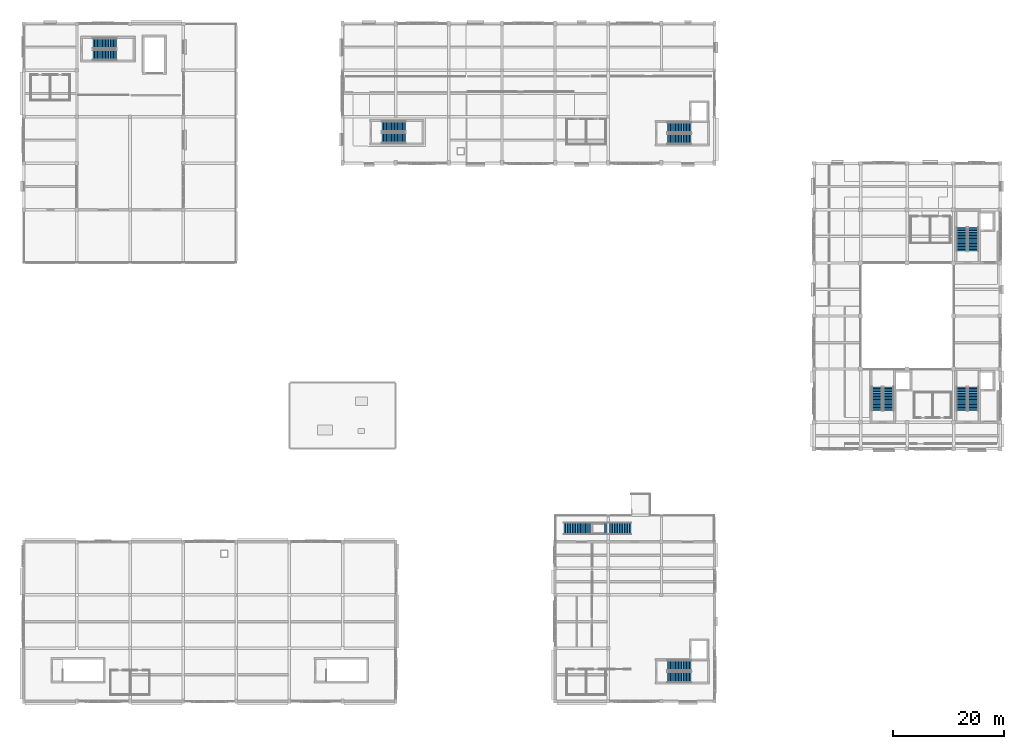
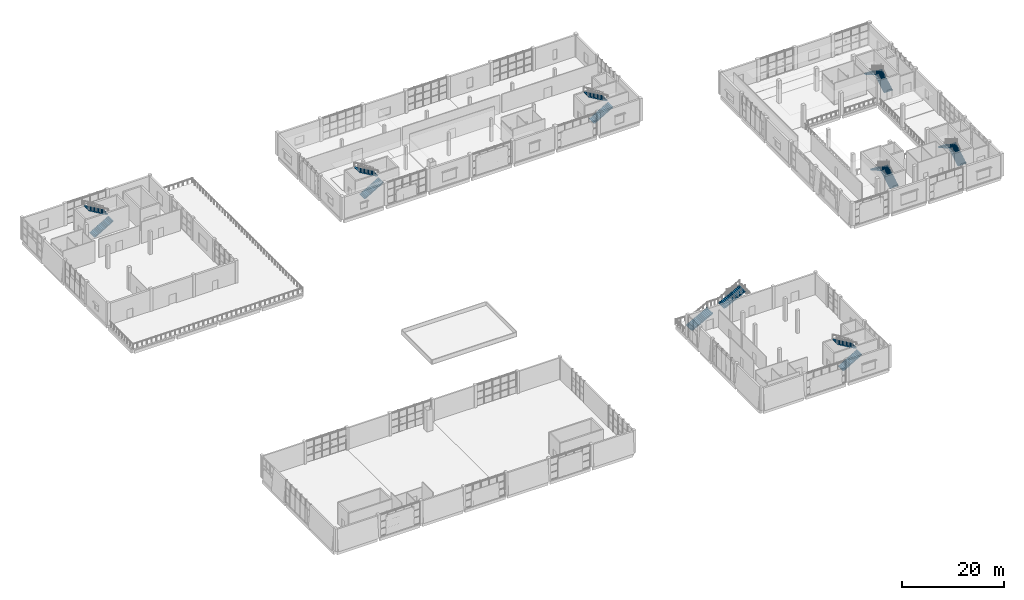
# One storey, part 52 of 72: 16 stair flights, 8 elements without a shape of their own.
"""IFC4 building model written with IfcOpenShell, lengths in metres."""

import ifcopenshell
import ifcopenshell.guid

model = None  # the IFC model being written
_history = None  # IfcOwnerHistory: only IFC2X3 demands one
_inside = {}  # id of a spatial element -> (the spatial element, [elements in it])
_under = {}  # id of a project, library or spatial element -> (it, [spatial elements below it])
_declared = {}  # id of a project -> (the project, [libraries it declares])
_typed = {}  # id of a type object -> (the type object, [elements of that type])
_made_of = {}  # id of a material, layer set ... -> (it, [elements and type objects made of it])


def new_model(schema):
    """Start an empty IFC model of exactly this schema.

    Asked for "IFC4X3", IfcOpenShell would pick the latest addendum, in which some entities
    have other attributes; the version numbers below select the first issue.
    IFC2X3 requires an IfcOwnerHistory on every rooted entity: one is made here for all.
    """
    global model, _history
    if schema == "IFC4X3":
        model = ifcopenshell.file(schema_version=(4, 3, 0, 0))
    else:
        model = ifcopenshell.file(schema=schema)
    _inside.clear()
    _under.clear()
    _declared.clear()
    _typed.clear()
    _made_of.clear()
    _history = None
    if model.schema == "IFC2X3":
        org = make("IfcOrganization", Name="unknown")
        user = make(
            "IfcPersonAndOrganization",
            ThePerson=make("IfcPerson", FamilyName="unknown"),
            TheOrganization=org,
        )
        app = make(
            "IfcApplication",
            ApplicationDeveloper=org,
            Version="unknown",
            ApplicationFullName="unknown",
            ApplicationIdentifier="unknown",
        )
        _history = make(
            "IfcOwnerHistory",
            OwningUser=user,
            OwningApplication=app,
            ChangeAction="ADDED",
            CreationDate=0,
        )
    return model


def make(cls, **values):
    """One entity of the class cls with the attributes given. An attribute that is None is left unset."""
    return model.create_entity(
        cls, **{name: value for name, value in values.items() if value is not None}
    )


def rooted(cls, **values):
    """An entity with a GlobalId (a new one), such as an element, a storey or a relation."""
    return make(cls, GlobalId=ifcopenshell.guid.new(), OwnerHistory=_history, **values)


def si_unit(unit_type, name, prefix=None):
    """IfcSIUnit, for example si_unit("LENGTHUNIT", "METRE", prefix="MILLI")."""
    return make("IfcSIUnit", UnitType=unit_type, Prefix=prefix, Name=name)


def assignment(units):
    """IfcUnitAssignment: the units of a project."""
    return None if units is None else make("IfcUnitAssignment", Units=units)


def point(xyz):
    """IfcCartesianPoint."""
    return None if xyz is None else make("IfcCartesianPoint", Coordinates=xyz)


def direction(xyz):
    """IfcDirection."""
    return None if xyz is None else make("IfcDirection", DirectionRatios=xyz)


def frame(location, z_axis=None, x_axis=None):
    """IfcAxis2Placement3D, a coordinate frame: its origin and axes. An axis left out is left unset."""
    return make(
        "IfcAxis2Placement3D",
        Location=point(location),
        Axis=direction(z_axis),
        RefDirection=direction(x_axis),
    )


def origin():
    """The frame at (0, 0, 0) with its axes left unset."""
    return frame((0.0, 0.0, 0.0))


def place(relative_to, where):
    """IfcLocalPlacement: puts the frame where relative to a parent placement (None: the world)."""
    return make(
        "IfcLocalPlacement", PlacementRelTo=relative_to, RelativePlacement=where
    )


def context(
    kind, dimensions, precision=None, world=None, true_north=None, identifier=None
):
    """IfcGeometricRepresentationContext, for example the 3D "Model" context."""
    return make(
        "IfcGeometricRepresentationContext",
        ContextIdentifier=identifier,
        ContextType=kind,
        CoordinateSpaceDimension=dimensions,
        Precision=precision,
        WorldCoordinateSystem=world,
        TrueNorth=true_north,
    )


def subcontext(parent, identifier, kind, view, scale=None):
    """IfcGeometricRepresentationSubContext, for example "Body" below "Model"."""
    return make(
        "IfcGeometricRepresentationSubContext",
        ContextIdentifier=identifier,
        ContextType=kind,
        ParentContext=parent,
        TargetScale=scale,
        TargetView=view,
    )


def project(units=None, contexts=None):
    """IfcProject with its units and contexts."""
    return rooted(
        "IfcProject",
        Name="project",
        RepresentationContexts=contexts,
        UnitsInContext=assignment(units),
    )


def spatial(cls, under=None, at=None, **own):
    """A site, building, storey or space (cls), placed at a placement, below another one or the project."""
    s = rooted(cls, ObjectPlacement=at, **own)
    if under is not None:
        _under.setdefault(under.id(), (under, []))[1].append(s)
    return s


def polyline(points):
    """IfcPolyline through the points."""
    return make("IfcPolyline", Points=[point(p) for p in points])


def outline(outer, holes=None, kind="AREA"):
    """IfcArbitraryClosedProfileDef: a profile drawn as a closed curve; with holes, ...WithVoids."""
    if holes is None:
        return make("IfcArbitraryClosedProfileDef", ProfileType=kind, OuterCurve=outer)
    return make(
        "IfcArbitraryProfileDefWithVoids",
        ProfileType=kind,
        OuterCurve=outer,
        InnerCurves=holes,
    )


def extrude(swept, where, along, depth):
    """IfcExtrudedAreaSolid: the profile swept, set in the frame where, extruded along a direction by depth."""
    return make(
        "IfcExtrudedAreaSolid",
        SweptArea=swept,
        Position=where,
        ExtrudedDirection=direction(along),
        Depth=depth,
    )


def shape(context_of_items, identifier, shape_type, items):
    """IfcShapeRepresentation: the items that make up one representation, for example the "Body"."""
    return make(
        "IfcShapeRepresentation",
        ContextOfItems=context_of_items,
        RepresentationIdentifier=identifier,
        RepresentationType=shape_type,
        Items=items,
    )


def material(Name=None, Category=None):
    """IfcMaterial."""
    return make("IfcMaterial", Name=Name, Category=Category)


def made_of(thing, what):
    """Note that an element or type object is made of a material, layer set ...; save() writes the relation."""
    if what is not None:
        _made_of.setdefault(what.id(), (what, []))[1].append(thing)
    return thing


def type_object(cls, material=None, **own):
    """A type object (cls), such as IfcWallType, which elements share."""
    return made_of(rooted(cls, **own), material)


def element(
    cls,
    number,
    at=None,
    inside=None,
    cuts=None,
    type_object=None,
    material=None,
    context=None,
    identifier="Body",
    shape_type=None,
    held_by="IfcProductDefinitionShape",
    body=None,
    shapes=None,
    **own,
):
    """One element of the class cls, such as IfcWall. Its Tag is "e" and its number.

    at: its placement. inside: the storey or other place that contains it. cuts: it is an
    opening in that element (IfcRelVoidsElement). A single representation is given by context,
    identifier, shape_type and body (its items); several are given by shapes. held_by: the class
    of the entity that holds the representations. save() writes the other relations.
    """
    e = rooted(cls, Tag="e%d" % number, ObjectPlacement=at, **own)
    if body is not None:
        shapes = [shape(context, identifier, shape_type, body)]
    if shapes is not None:
        e.Representation = make(held_by, Representations=shapes)
    if inside is not None:
        _inside.setdefault(inside.id(), (inside, []))[1].append(e)
    if cuts is not None:
        rooted(
            "IfcRelVoidsElement", RelatingBuildingElement=cuts, RelatedOpeningElement=e
        )
    if type_object is not None:
        _typed.setdefault(type_object.id(), (type_object, []))[1].append(e)
    return made_of(e, material)


def aggregate(whole, parts):
    """IfcRelAggregates: a whole, such as a stair, and the parts it consists of."""
    return rooted("IfcRelAggregates", RelatingObject=whole, RelatedObjects=parts)


def save(model, path):
    """Write the relations noted so far, then the file.

    IfcRelAggregates (storeys below a building ...), IfcRelContainedInSpatialStructure (elements
    in a storey), IfcRelDefinesByType, IfcRelAssociatesMaterial and IfcRelDeclares: one each for
    every whole, place, type object, material and project.
    """
    for whole, parts in _under.values():
        aggregate(whole, parts)
    for where, things in _inside.values():
        rooted(
            "IfcRelContainedInSpatialStructure",
            RelatedElements=things,
            RelatingStructure=where,
        )
    for kind, things in _typed.values():
        rooted("IfcRelDefinesByType", RelatedObjects=things, RelatingType=kind)
    for what, things in _made_of.values():
        rooted("IfcRelAssociatesMaterial", RelatedObjects=things, RelatingMaterial=what)
    for by, libraries in _declared.values():
        rooted("IfcRelDeclares", RelatingContext=by, RelatedDefinitions=libraries)
    model.write(path)


model = new_model("IFC4")

# Units and contexts
model_context = context("Model", 3, precision=1e-05, world=origin(), true_north=direction((0.0, 1.0)))
body_context = subcontext(model_context, "Body", "Model", "MODEL_VIEW")
ifc_project = project(units=[si_unit("LENGTHUNIT", "METRE"), si_unit("AREAUNIT", "SQUARE_METRE"), si_unit("VOLUMEUNIT", "CUBIC_METRE"), si_unit("PLANEANGLEUNIT", "RADIAN"), si_unit("MASSUNIT", "GRAM", prefix="KILO")], contexts=[model_context])

# Site, building, storey
site_placement = place(None, origin())
site = spatial("IfcSite", under=ifc_project, at=site_placement, CompositionType="ELEMENT")
building_placement = place(site_placement, origin())
building = spatial("IfcBuilding", under=site, at=building_placement, Name="Shalvenor Court Art Gallery", CompositionType="ELEMENT")
storey_placement = place(building_placement, frame((0.0, 0.0, 11.39990234375)))
storey = spatial("IfcBuildingStorey", under=building, at=storey_placement, Name="L02", CompositionType="ELEMENT", Elevation=11.39990234375)

# Stair, stair flights
ifc_material_1 = material(Name="Concrete C40/50", Category="concrete")
stair_type_1 = type_object("IfcStairType", Name="ST-DL-32R-1900", PredefinedType="HALF_TURN_STAIR", material=ifc_material_1)
stair_1_placement = place(storey_placement, origin())
stair_1 = element("IfcStair", 1, at=stair_1_placement, inside=storey, type_object=stair_type_1, Name="L02 Core Dogleg Stair ST-01", PredefinedType="HALF_TURN_STAIR")
ifc_material_2 = material(Name="Concrete C40/50", Category="concrete")
stair_flight_type_1 = type_object("IfcStairFlightType", Name="FL-DL-16R-1900", PredefinedType="STRAIGHT", material=ifc_material_2)
stair_flight_1_placement = place(storey_placement, frame((171.550048828125, 81.300048828125, 0.0), z_axis=(0.0, 0.0, 1.0), x_axis=(0.0, 1.0, 0.0)))
stair_flight_1 = element("IfcStairFlight", 2, at=stair_flight_1_placement, type_object=stair_flight_type_1, Name="ST-DL-32R-1900 flight 1", NumberOfRisers=16, NumberOfTreads=15, PredefinedType="STRAIGHT", RiserHeight=0.16875, TreadLength=0.285, context=body_context, shape_type="SweptSolid", body=[
    extrude(outline(polyline([(0.0, 0.0), (0.0, 0.168701171875), (0.284912109375, 0.168701171875), (0.284912109375, 0.33740234375), (0.570068359375, 0.33740234375), (0.570068359375, 0.50634765625), (0.85498046875, 0.50634765625), (0.85498046875, 0.675048828125), (1.139892578125, 0.675048828125), (1.139892578125, 0.84375), (1.425048828125, 0.84375), (1.425048828125, 1.012451171875), (1.7099609375, 1.012451171875), (1.7099609375, 1.18115234375), (1.9951171875, 1.18115234375), (1.9951171875, 1.35009765625), (2.280029296875, 1.35009765625), (2.280029296875, 1.518798828125), (2.56494140625, 1.518798828125), (2.56494140625, 1.6875), (2.85009765625, 1.6875), (2.85009765625, 1.856201171875), (3.135009765625, 1.856201171875), (3.135009765625, 2.02490234375), (3.419921875, 2.02490234375), (3.419921875, 2.19384765625), (3.705078125, 2.19384765625), (3.705078125, 2.362548828125), (3.989990234375, 2.362548828125), (3.989990234375, 2.53125), (4.27490234375, 2.53125), (4.27490234375, 2.699951171875), (4.27490234375, 2.322021484375), (0.353271484375, 0.0), (0.0, 0.0)])), frame((0.0, 0.949951171875, 0.0), z_axis=(0.0, -1.0, 0.0), x_axis=(1.0, 0.0, 0.0)), (0.0, 0.0, 1.0), 1.89990234375),
])
stair_flight_2_placement = place(storey_placement, frame((169.449951171875, 85.574951171875, 2.7001953125), z_axis=(0.0, 0.0, 1.0), x_axis=(0.0, -1.0, 0.0)))
stair_flight_2 = element("IfcStairFlight", 3, at=stair_flight_2_placement, type_object=stair_flight_type_1, Name="ST-DL-32R-1900 flight 2", NumberOfRisers=16, NumberOfTreads=15, PredefinedType="STRAIGHT", RiserHeight=0.16875, TreadLength=0.285, context=body_context, shape_type="SweptSolid", body=[
    extrude(outline(polyline([(0.0, 0.0), (0.0, 0.168701171875), (0.284912109375, 0.168701171875), (0.284912109375, 0.33740234375), (0.570068359375, 0.33740234375), (0.570068359375, 0.50634765625), (0.85498046875, 0.50634765625), (0.85498046875, 0.675048828125), (1.139892578125, 0.675048828125), (1.139892578125, 0.84375), (1.425048828125, 0.84375), (1.425048828125, 1.012451171875), (1.7099609375, 1.012451171875), (1.7099609375, 1.18115234375), (1.9951171875, 1.18115234375), (1.9951171875, 1.35009765625), (2.280029296875, 1.35009765625), (2.280029296875, 1.518798828125), (2.56494140625, 1.518798828125), (2.56494140625, 1.6875), (2.85009765625, 1.6875), (2.85009765625, 1.856201171875), (3.135009765625, 1.856201171875), (3.135009765625, 2.02490234375), (3.419921875, 2.02490234375), (3.419921875, 2.19384765625), (3.705078125, 2.19384765625), (3.705078125, 2.362548828125), (3.989990234375, 2.362548828125), (3.989990234375, 2.53125), (4.27490234375, 2.53125), (4.27490234375, 2.699951171875), (4.27490234375, 2.322021484375), (0.353271484375, 0.0), (0.0, 0.0)])), frame((0.0, 0.949951171875, 0.0), z_axis=(0.0, -1.0, 0.0), x_axis=(1.0, 0.0, 0.0)), (0.0, 0.0, 1.0), 1.89990234375),
])
aggregate(stair_1, [stair_flight_1, stair_flight_2])

stair_2_placement = place(storey_placement, origin())
stair_2 = element("IfcStair", 4, at=stair_2_placement, inside=storey, type_object=stair_type_1, Name="L02 Core Dogleg Stair ST-02", PredefinedType="HALF_TURN_STAIR")
stair_flight_3_placement = place(storey_placement, frame((171.550048828125, 52.5, 0.0), z_axis=(0.0, 0.0, 1.0), x_axis=(0.0, 1.0, 0.0)))
stair_flight_3 = element("IfcStairFlight", 5, at=stair_flight_3_placement, type_object=stair_flight_type_1, Name="ST-DL-32R-1900 flight 1", NumberOfRisers=16, NumberOfTreads=15, PredefinedType="STRAIGHT", RiserHeight=0.16875, TreadLength=0.285, context=body_context, shape_type="SweptSolid", body=[
    extrude(outline(polyline([(0.0, 0.0), (0.0, 0.168701171875), (0.284912109375, 0.168701171875), (0.284912109375, 0.33740234375), (0.570068359375, 0.33740234375), (0.570068359375, 0.50634765625), (0.85498046875, 0.50634765625), (0.85498046875, 0.675048828125), (1.139892578125, 0.675048828125), (1.139892578125, 0.84375), (1.425048828125, 0.84375), (1.425048828125, 1.012451171875), (1.7099609375, 1.012451171875), (1.7099609375, 1.18115234375), (1.9951171875, 1.18115234375), (1.9951171875, 1.35009765625), (2.280029296875, 1.35009765625), (2.280029296875, 1.518798828125), (2.56494140625, 1.518798828125), (2.56494140625, 1.6875), (2.85009765625, 1.6875), (2.85009765625, 1.856201171875), (3.135009765625, 1.856201171875), (3.135009765625, 2.02490234375), (3.419921875, 2.02490234375), (3.419921875, 2.19384765625), (3.705078125, 2.19384765625), (3.705078125, 2.362548828125), (3.989990234375, 2.362548828125), (3.989990234375, 2.53125), (4.27490234375, 2.53125), (4.27490234375, 2.699951171875), (4.27490234375, 2.322021484375), (0.353271484375, 0.0), (0.0, 0.0)])), frame((0.0, 0.949951171875, 0.0), z_axis=(0.0, -1.0, 0.0), x_axis=(1.0, 0.0, 0.0)), (0.0, 0.0, 1.0), 1.89990234375),
])
stair_flight_4_placement = place(storey_placement, frame((169.449951171875, 56.77490234375, 2.7001953125), z_axis=(0.0, 0.0, 1.0), x_axis=(0.0, -1.0, 0.0)))
stair_flight_4 = element("IfcStairFlight", 6, at=stair_flight_4_placement, type_object=stair_flight_type_1, Name="ST-DL-32R-1900 flight 2", NumberOfRisers=16, NumberOfTreads=15, PredefinedType="STRAIGHT", RiserHeight=0.16875, TreadLength=0.285, context=body_context, shape_type="SweptSolid", body=[
    extrude(outline(polyline([(0.0, 0.0), (0.0, 0.168701171875), (0.284912109375, 0.168701171875), (0.284912109375, 0.33740234375), (0.570068359375, 0.33740234375), (0.570068359375, 0.50634765625), (0.85498046875, 0.50634765625), (0.85498046875, 0.675048828125), (1.139892578125, 0.675048828125), (1.139892578125, 0.84375), (1.425048828125, 0.84375), (1.425048828125, 1.012451171875), (1.7099609375, 1.012451171875), (1.7099609375, 1.18115234375), (1.9951171875, 1.18115234375), (1.9951171875, 1.35009765625), (2.280029296875, 1.35009765625), (2.280029296875, 1.518798828125), (2.56494140625, 1.518798828125), (2.56494140625, 1.6875), (2.85009765625, 1.6875), (2.85009765625, 1.856201171875), (3.135009765625, 1.856201171875), (3.135009765625, 2.02490234375), (3.419921875, 2.02490234375), (3.419921875, 2.19384765625), (3.705078125, 2.19384765625), (3.705078125, 2.362548828125), (3.989990234375, 2.362548828125), (3.989990234375, 2.53125), (4.27490234375, 2.53125), (4.27490234375, 2.699951171875), (4.27490234375, 2.322021484375), (0.353271484375, 0.0), (0.0, 0.0)])), frame((0.0, 0.949951171875, 0.0), z_axis=(0.0, -1.0, 0.0), x_axis=(1.0, 0.0, 0.0)), (0.0, 0.0, 1.0), 1.89990234375),
])
aggregate(stair_2, [stair_flight_3, stair_flight_4])

stair_3_placement = place(storey_placement, origin())
stair_3 = element("IfcStair", 7, at=stair_3_placement, inside=storey, type_object=stair_type_1, Name="L02 Core Dogleg Stair ST-03", PredefinedType="HALF_TURN_STAIR")
stair_flight_5_placement = place(storey_placement, frame((156.25, 52.5, 0.0), z_axis=(0.0, 0.0, 1.0), x_axis=(0.0, 1.0, 0.0)))
stair_flight_5 = element("IfcStairFlight", 8, at=stair_flight_5_placement, type_object=stair_flight_type_1, Name="ST-DL-32R-1900 flight 1", NumberOfRisers=16, NumberOfTreads=15, PredefinedType="STRAIGHT", RiserHeight=0.16875, TreadLength=0.285, context=body_context, shape_type="SweptSolid", body=[
    extrude(outline(polyline([(0.0, 0.0), (0.0, 0.168701171875), (0.284912109375, 0.168701171875), (0.284912109375, 0.33740234375), (0.570068359375, 0.33740234375), (0.570068359375, 0.50634765625), (0.85498046875, 0.50634765625), (0.85498046875, 0.675048828125), (1.139892578125, 0.675048828125), (1.139892578125, 0.84375), (1.425048828125, 0.84375), (1.425048828125, 1.012451171875), (1.7099609375, 1.012451171875), (1.7099609375, 1.18115234375), (1.9951171875, 1.18115234375), (1.9951171875, 1.35009765625), (2.280029296875, 1.35009765625), (2.280029296875, 1.518798828125), (2.56494140625, 1.518798828125), (2.56494140625, 1.6875), (2.85009765625, 1.6875), (2.85009765625, 1.856201171875), (3.135009765625, 1.856201171875), (3.135009765625, 2.02490234375), (3.419921875, 2.02490234375), (3.419921875, 2.19384765625), (3.705078125, 2.19384765625), (3.705078125, 2.362548828125), (3.989990234375, 2.362548828125), (3.989990234375, 2.53125), (4.27490234375, 2.53125), (4.27490234375, 2.699951171875), (4.27490234375, 2.322021484375), (0.353271484375, 0.0), (0.0, 0.0)])), frame((0.0, 0.949951171875, 0.0), z_axis=(0.0, -1.0, 0.0), x_axis=(1.0, 0.0, 0.0)), (0.0, 0.0, 1.0), 1.89990234375),
])
stair_flight_6_placement = place(storey_placement, frame((154.14990234375, 56.77490234375, 2.7001953125), z_axis=(0.0, 0.0, 1.0), x_axis=(0.0, -1.0, 0.0)))
stair_flight_6 = element("IfcStairFlight", 9, at=stair_flight_6_placement, type_object=stair_flight_type_1, Name="ST-DL-32R-1900 flight 2", NumberOfRisers=16, NumberOfTreads=15, PredefinedType="STRAIGHT", RiserHeight=0.16875, TreadLength=0.285, context=body_context, shape_type="SweptSolid", body=[
    extrude(outline(polyline([(0.0, 0.0), (0.0, 0.168701171875), (0.284912109375, 0.168701171875), (0.284912109375, 0.33740234375), (0.570068359375, 0.33740234375), (0.570068359375, 0.50634765625), (0.85498046875, 0.50634765625), (0.85498046875, 0.675048828125), (1.139892578125, 0.675048828125), (1.139892578125, 0.84375), (1.425048828125, 0.84375), (1.425048828125, 1.012451171875), (1.7099609375, 1.012451171875), (1.7099609375, 1.18115234375), (1.9951171875, 1.18115234375), (1.9951171875, 1.35009765625), (2.280029296875, 1.35009765625), (2.280029296875, 1.518798828125), (2.56494140625, 1.518798828125), (2.56494140625, 1.6875), (2.85009765625, 1.6875), (2.85009765625, 1.856201171875), (3.135009765625, 1.856201171875), (3.135009765625, 2.02490234375), (3.419921875, 2.02490234375), (3.419921875, 2.19384765625), (3.705078125, 2.19384765625), (3.705078125, 2.362548828125), (3.989990234375, 2.362548828125), (3.989990234375, 2.53125), (4.27490234375, 2.53125), (4.27490234375, 2.699951171875), (4.27490234375, 2.322021484375), (0.353271484375, 0.0), (0.0, 0.0)])), frame((0.0, 0.949951171875, 0.0), z_axis=(0.0, -1.0, 0.0), x_axis=(1.0, 0.0, 0.0)), (0.0, 0.0, 1.0), 1.89990234375),
])
aggregate(stair_3, [stair_flight_5, stair_flight_6])

stair_4_placement = place(storey_placement, origin())
stair_4 = element("IfcStair", 10, at=stair_4_placement, inside=storey, type_object=stair_type_1, Name="L02 Core Dogleg Stair ST-04", PredefinedType="HALF_TURN_STAIR")
stair_flight_7_placement = place(storey_placement, frame((116.300048828125, 4.35009765625, 0.0), z_axis=(0.0, 0.0, 1.0), x_axis=(1.0, 0.0, 0.0)))
stair_flight_7 = element("IfcStairFlight", 11, at=stair_flight_7_placement, type_object=stair_flight_type_1, Name="ST-DL-32R-1900 flight 1", NumberOfRisers=16, NumberOfTreads=15, PredefinedType="STRAIGHT", RiserHeight=0.16875, TreadLength=0.285, context=body_context, shape_type="SweptSolid", body=[
    extrude(outline(polyline([(0.0, 0.0), (0.0, 0.168701171875), (0.284912109375, 0.168701171875), (0.284912109375, 0.33740234375), (0.570068359375, 0.33740234375), (0.570068359375, 0.50634765625), (0.85498046875, 0.50634765625), (0.85498046875, 0.675048828125), (1.139892578125, 0.675048828125), (1.139892578125, 0.84375), (1.425048828125, 0.84375), (1.425048828125, 1.012451171875), (1.7099609375, 1.012451171875), (1.7099609375, 1.18115234375), (1.9951171875, 1.18115234375), (1.9951171875, 1.35009765625), (2.280029296875, 1.35009765625), (2.280029296875, 1.518798828125), (2.56494140625, 1.518798828125), (2.56494140625, 1.6875), (2.85009765625, 1.6875), (2.85009765625, 1.856201171875), (3.135009765625, 1.856201171875), (3.135009765625, 2.02490234375), (3.419921875, 2.02490234375), (3.419921875, 2.19384765625), (3.705078125, 2.19384765625), (3.705078125, 2.362548828125), (3.989990234375, 2.362548828125), (3.989990234375, 2.53125), (4.27490234375, 2.53125), (4.27490234375, 2.699951171875), (4.27490234375, 2.322021484375), (0.353271484375, 0.0), (0.0, 0.0)])), frame((0.0, 0.949951171875, 0.0), z_axis=(0.0, -1.0, 0.0), x_axis=(1.0, 0.0, 0.0)), (0.0, 0.0, 1.0), 1.89990234375),
])
stair_flight_8_placement = place(storey_placement, frame((120.574951171875, 6.449951171875, 2.7001953125), z_axis=(0.0, 0.0, 1.0), x_axis=(-1.0, 0.0, 0.0)))
stair_flight_8 = element("IfcStairFlight", 12, at=stair_flight_8_placement, type_object=stair_flight_type_1, Name="ST-DL-32R-1900 flight 2", NumberOfRisers=16, NumberOfTreads=15, PredefinedType="STRAIGHT", RiserHeight=0.16875, TreadLength=0.285, context=body_context, shape_type="SweptSolid", body=[
    extrude(outline(polyline([(0.0, 0.0), (0.0, 0.168701171875), (0.284912109375, 0.168701171875), (0.284912109375, 0.33740234375), (0.570068359375, 0.33740234375), (0.570068359375, 0.50634765625), (0.85498046875, 0.50634765625), (0.85498046875, 0.675048828125), (1.139892578125, 0.675048828125), (1.139892578125, 0.84375), (1.425048828125, 0.84375), (1.425048828125, 1.012451171875), (1.7099609375, 1.012451171875), (1.7099609375, 1.18115234375), (1.9951171875, 1.18115234375), (1.9951171875, 1.35009765625), (2.280029296875, 1.35009765625), (2.280029296875, 1.518798828125), (2.56494140625, 1.518798828125), (2.56494140625, 1.6875), (2.85009765625, 1.6875), (2.85009765625, 1.856201171875), (3.135009765625, 1.856201171875), (3.135009765625, 2.02490234375), (3.419921875, 2.02490234375), (3.419921875, 2.19384765625), (3.705078125, 2.19384765625), (3.705078125, 2.362548828125), (3.989990234375, 2.362548828125), (3.989990234375, 2.53125), (4.27490234375, 2.53125), (4.27490234375, 2.699951171875), (4.27490234375, 2.322021484375), (0.353271484375, 0.0), (0.0, 0.0)])), frame((0.0, 0.949951171875, 0.0), z_axis=(0.0, -1.0, 0.0), x_axis=(1.0, 0.0, 0.0)), (0.0, 0.0, 1.0), 1.89990234375),
])
aggregate(stair_4, [stair_flight_7, stair_flight_8])

stair_5_placement = place(storey_placement, origin())
stair_5 = element("IfcStair", 13, at=stair_5_placement, inside=storey, type_object=stair_type_1, Name="L02 Core Dogleg Stair ST-05", PredefinedType="HALF_TURN_STAIR")
stair_flight_9_placement = place(storey_placement, frame((116.300048828125, 101.550048828125, 0.0), z_axis=(0.0, 0.0, 1.0), x_axis=(1.0, 0.0, 0.0)))
stair_flight_9 = element("IfcStairFlight", 14, at=stair_flight_9_placement, type_object=stair_flight_type_1, Name="ST-DL-32R-1900 flight 1", NumberOfRisers=16, NumberOfTreads=15, PredefinedType="STRAIGHT", RiserHeight=0.16875, TreadLength=0.285, context=body_context, shape_type="SweptSolid", body=[
    extrude(outline(polyline([(0.0, 0.0), (0.0, 0.168701171875), (0.284912109375, 0.168701171875), (0.284912109375, 0.33740234375), (0.570068359375, 0.33740234375), (0.570068359375, 0.50634765625), (0.85498046875, 0.50634765625), (0.85498046875, 0.675048828125), (1.139892578125, 0.675048828125), (1.139892578125, 0.84375), (1.425048828125, 0.84375), (1.425048828125, 1.012451171875), (1.7099609375, 1.012451171875), (1.7099609375, 1.18115234375), (1.9951171875, 1.18115234375), (1.9951171875, 1.35009765625), (2.280029296875, 1.35009765625), (2.280029296875, 1.518798828125), (2.56494140625, 1.518798828125), (2.56494140625, 1.6875), (2.85009765625, 1.6875), (2.85009765625, 1.856201171875), (3.135009765625, 1.856201171875), (3.135009765625, 2.02490234375), (3.419921875, 2.02490234375), (3.419921875, 2.19384765625), (3.705078125, 2.19384765625), (3.705078125, 2.362548828125), (3.989990234375, 2.362548828125), (3.989990234375, 2.53125), (4.27490234375, 2.53125), (4.27490234375, 2.699951171875), (4.27490234375, 2.322021484375), (0.353271484375, 0.0), (0.0, 0.0)])), frame((0.0, 0.949951171875, 0.0), z_axis=(0.0, -1.0, 0.0), x_axis=(1.0, 0.0, 0.0)), (0.0, 0.0, 1.0), 1.89990234375),
])
stair_flight_10_placement = place(storey_placement, frame((120.574951171875, 103.64990234375, 2.7001953125), z_axis=(0.0, 0.0, 1.0), x_axis=(-1.0, 0.0, 0.0)))
stair_flight_10 = element("IfcStairFlight", 15, at=stair_flight_10_placement, type_object=stair_flight_type_1, Name="ST-DL-32R-1900 flight 2", NumberOfRisers=16, NumberOfTreads=15, PredefinedType="STRAIGHT", RiserHeight=0.16875, TreadLength=0.285, context=body_context, shape_type="SweptSolid", body=[
    extrude(outline(polyline([(0.0, 0.0), (0.0, 0.168701171875), (0.284912109375, 0.168701171875), (0.284912109375, 0.33740234375), (0.570068359375, 0.33740234375), (0.570068359375, 0.50634765625), (0.85498046875, 0.50634765625), (0.85498046875, 0.675048828125), (1.139892578125, 0.675048828125), (1.139892578125, 0.84375), (1.425048828125, 0.84375), (1.425048828125, 1.012451171875), (1.7099609375, 1.012451171875), (1.7099609375, 1.18115234375), (1.9951171875, 1.18115234375), (1.9951171875, 1.35009765625), (2.280029296875, 1.35009765625), (2.280029296875, 1.518798828125), (2.56494140625, 1.518798828125), (2.56494140625, 1.6875), (2.85009765625, 1.6875), (2.85009765625, 1.856201171875), (3.135009765625, 1.856201171875), (3.135009765625, 2.02490234375), (3.419921875, 2.02490234375), (3.419921875, 2.19384765625), (3.705078125, 2.19384765625), (3.705078125, 2.362548828125), (3.989990234375, 2.362548828125), (3.989990234375, 2.53125), (4.27490234375, 2.53125), (4.27490234375, 2.699951171875), (4.27490234375, 2.322021484375), (0.353271484375, 0.0), (0.0, 0.0)])), frame((0.0, 0.949951171875, 0.0), z_axis=(0.0, -1.0, 0.0), x_axis=(1.0, 0.0, 0.0)), (0.0, 0.0, 1.0), 1.89990234375),
])
aggregate(stair_5, [stair_flight_9, stair_flight_10])

stair_6_placement = place(storey_placement, origin())
stair_6 = element("IfcStair", 16, at=stair_6_placement, inside=storey, type_object=stair_type_1, Name="L02 Core Dogleg Stair ST-06", PredefinedType="HALF_TURN_STAIR")
stair_flight_11_placement = place(storey_placement, frame((12.5, 116.75, 0.0), z_axis=(0.0, 0.0, 1.0), x_axis=(1.0, 0.0, 0.0)))
stair_flight_11 = element("IfcStairFlight", 17, at=stair_flight_11_placement, type_object=stair_flight_type_1, Name="ST-DL-32R-1900 flight 1", NumberOfRisers=16, NumberOfTreads=15, PredefinedType="STRAIGHT", RiserHeight=0.16875, TreadLength=0.285, context=body_context, shape_type="SweptSolid", body=[
    extrude(outline(polyline([(0.0, 0.0), (0.0, 0.168701171875), (0.284912109375, 0.168701171875), (0.284912109375, 0.33740234375), (0.570068359375, 0.33740234375), (0.570068359375, 0.50634765625), (0.85498046875, 0.50634765625), (0.85498046875, 0.675048828125), (1.139892578125, 0.675048828125), (1.139892578125, 0.84375), (1.425048828125, 0.84375), (1.425048828125, 1.012451171875), (1.7099609375, 1.012451171875), (1.7099609375, 1.18115234375), (1.9951171875, 1.18115234375), (1.9951171875, 1.35009765625), (2.280029296875, 1.35009765625), (2.280029296875, 1.518798828125), (2.56494140625, 1.518798828125), (2.56494140625, 1.6875), (2.85009765625, 1.6875), (2.85009765625, 1.856201171875), (3.135009765625, 1.856201171875), (3.135009765625, 2.02490234375), (3.419921875, 2.02490234375), (3.419921875, 2.19384765625), (3.705078125, 2.19384765625), (3.705078125, 2.362548828125), (3.989990234375, 2.362548828125), (3.989990234375, 2.53125), (4.27490234375, 2.53125), (4.27490234375, 2.699951171875), (4.27490234375, 2.322021484375), (0.353271484375, 0.0), (0.0, 0.0)])), frame((0.0, 0.949951171875, 0.0), z_axis=(0.0, -1.0, 0.0), x_axis=(1.0, 0.0, 0.0)), (0.0, 0.0, 1.0), 1.89990234375),
])
stair_flight_12_placement = place(storey_placement, frame((16.77490234375, 118.85009765625, 2.7001953125), z_axis=(0.0, 0.0, 1.0), x_axis=(-1.0, 0.0, 0.0)))
stair_flight_12 = element("IfcStairFlight", 18, at=stair_flight_12_placement, type_object=stair_flight_type_1, Name="ST-DL-32R-1900 flight 2", NumberOfRisers=16, NumberOfTreads=15, PredefinedType="STRAIGHT", RiserHeight=0.16875, TreadLength=0.285, context=body_context, shape_type="SweptSolid", body=[
    extrude(outline(polyline([(0.0, 0.0), (0.0, 0.168701171875), (0.284912109375, 0.168701171875), (0.284912109375, 0.33740234375), (0.570068359375, 0.33740234375), (0.570068359375, 0.50634765625), (0.85498046875, 0.50634765625), (0.85498046875, 0.675048828125), (1.139892578125, 0.675048828125), (1.139892578125, 0.84375), (1.425048828125, 0.84375), (1.425048828125, 1.012451171875), (1.7099609375, 1.012451171875), (1.7099609375, 1.18115234375), (1.9951171875, 1.18115234375), (1.9951171875, 1.35009765625), (2.280029296875, 1.35009765625), (2.280029296875, 1.518798828125), (2.56494140625, 1.518798828125), (2.56494140625, 1.6875), (2.85009765625, 1.6875), (2.85009765625, 1.856201171875), (3.135009765625, 1.856201171875), (3.135009765625, 2.02490234375), (3.419921875, 2.02490234375), (3.419921875, 2.19384765625), (3.705078125, 2.19384765625), (3.705078125, 2.362548828125), (3.989990234375, 2.362548828125), (3.989990234375, 2.53125), (4.27490234375, 2.53125), (4.27490234375, 2.699951171875), (4.27490234375, 2.322021484375), (0.353271484375, 0.0), (0.0, 0.0)])), frame((0.0, 0.949951171875, 0.0), z_axis=(0.0, -1.0, 0.0), x_axis=(1.0, 0.0, 0.0)), (0.0, 0.0, 1.0), 1.89990234375),
])
aggregate(stair_6, [stair_flight_11, stair_flight_12])

stair_7_placement = place(storey_placement, origin())
stair_7 = element("IfcStair", 19, at=stair_7_placement, inside=storey, type_object=stair_type_1, Name="L02 Core Dogleg Stair ST-09", PredefinedType="HALF_TURN_STAIR")
stair_flight_13_placement = place(storey_placement, frame((64.699951171875, 101.75, 0.0), z_axis=(0.0, 0.0, 1.0), x_axis=(1.0, 0.0, 0.0)))
stair_flight_13 = element("IfcStairFlight", 20, at=stair_flight_13_placement, type_object=stair_flight_type_1, Name="ST-DL-32R-1900 flight 1", NumberOfRisers=16, NumberOfTreads=15, PredefinedType="STRAIGHT", RiserHeight=0.16875, TreadLength=0.285, context=body_context, shape_type="SweptSolid", body=[
    extrude(outline(polyline([(0.0, 0.0), (0.0, 0.168701171875), (0.284912109375, 0.168701171875), (0.284912109375, 0.33740234375), (0.570068359375, 0.33740234375), (0.570068359375, 0.50634765625), (0.85498046875, 0.50634765625), (0.85498046875, 0.675048828125), (1.139892578125, 0.675048828125), (1.139892578125, 0.84375), (1.425048828125, 0.84375), (1.425048828125, 1.012451171875), (1.7099609375, 1.012451171875), (1.7099609375, 1.18115234375), (1.9951171875, 1.18115234375), (1.9951171875, 1.35009765625), (2.280029296875, 1.35009765625), (2.280029296875, 1.518798828125), (2.56494140625, 1.518798828125), (2.56494140625, 1.6875), (2.85009765625, 1.6875), (2.85009765625, 1.856201171875), (3.135009765625, 1.856201171875), (3.135009765625, 2.02490234375), (3.419921875, 2.02490234375), (3.419921875, 2.19384765625), (3.705078125, 2.19384765625), (3.705078125, 2.362548828125), (3.989990234375, 2.362548828125), (3.989990234375, 2.53125), (4.27490234375, 2.53125), (4.27490234375, 2.699951171875), (4.27490234375, 2.322021484375), (0.353271484375, 0.0), (0.0, 0.0)])), frame((0.0, 0.949951171875, 0.0), z_axis=(0.0, -1.0, 0.0), x_axis=(1.0, 0.0, 0.0)), (0.0, 0.0, 1.0), 1.89990234375),
])
stair_flight_14_placement = place(storey_placement, frame((68.97509765625, 103.85009765625, 2.7001953125), z_axis=(0.0, 0.0, 1.0), x_axis=(-1.0, 0.0, 0.0)))
stair_flight_14 = element("IfcStairFlight", 21, at=stair_flight_14_placement, type_object=stair_flight_type_1, Name="ST-DL-32R-1900 flight 2", NumberOfRisers=16, NumberOfTreads=15, PredefinedType="STRAIGHT", RiserHeight=0.16875, TreadLength=0.285, context=body_context, shape_type="SweptSolid", body=[
    extrude(outline(polyline([(0.0, 0.0), (0.0, 0.168701171875), (0.284912109375, 0.168701171875), (0.284912109375, 0.33740234375), (0.570068359375, 0.33740234375), (0.570068359375, 0.50634765625), (0.85498046875, 0.50634765625), (0.85498046875, 0.675048828125), (1.139892578125, 0.675048828125), (1.139892578125, 0.84375), (1.425048828125, 0.84375), (1.425048828125, 1.012451171875), (1.7099609375, 1.012451171875), (1.7099609375, 1.18115234375), (1.9951171875, 1.18115234375), (1.9951171875, 1.35009765625), (2.280029296875, 1.35009765625), (2.280029296875, 1.518798828125), (2.56494140625, 1.518798828125), (2.56494140625, 1.6875), (2.85009765625, 1.6875), (2.85009765625, 1.856201171875), (3.135009765625, 1.856201171875), (3.135009765625, 2.02490234375), (3.419921875, 2.02490234375), (3.419921875, 2.19384765625), (3.705078125, 2.19384765625), (3.705078125, 2.362548828125), (3.989990234375, 2.362548828125), (3.989990234375, 2.53125), (4.27490234375, 2.53125), (4.27490234375, 2.699951171875), (4.27490234375, 2.322021484375), (0.353271484375, 0.0), (0.0, 0.0)])), frame((0.0, 0.949951171875, 0.0), z_axis=(0.0, -1.0, 0.0), x_axis=(1.0, 0.0, 0.0)), (0.0, 0.0, 1.0), 1.89990234375),
])
aggregate(stair_7, [stair_flight_13, stair_flight_14])

ifc_material_3 = material(Name="Concrete C40/50", Category="concrete")
stair_type_2 = type_object("IfcStairType", Name="ST-T4-TP", PredefinedType="STRAIGHT_RUN_STAIR", material=ifc_material_3)
stair_8_placement = place(storey_placement, origin())
stair_8 = element("IfcStair", 22, at=stair_8_placement, inside=storey, type_object=stair_type_2, Name="Sculpture Terrace Stair 4", PredefinedType="STRAIGHT_RUN_STAIR")
ifc_material_4 = material(Name="Concrete C40/50", Category="concrete")
stair_flight_type_2 = type_object("IfcStairFlightType", Name="ST-T4-FL", PredefinedType="STRAIGHT", material=ifc_material_4)
stair_flight_15_placement = place(storey_placement, frame((97.60009765625, 31.199951171875, 0.0), z_axis=(0.0, 0.0, 1.0), x_axis=(1.0, 0.0, 0.0)))
stair_flight_15 = element("IfcStairFlight", 23, at=stair_flight_15_placement, type_object=stair_flight_type_2, Name="ST-T4-TP flight 1", NumberOfRisers=17, NumberOfTreads=16, PredefinedType="STRAIGHT", RiserHeight=0.158823529, TreadLength=0.3, context=body_context, shape_type="SweptSolid", body=[
    extrude(outline(polyline([(0.0, 0.0), (0.0, 0.158935546875), (0.300048828125, 0.158935546875), (0.300048828125, 0.317626953125), (0.60009765625, 0.317626953125), (0.60009765625, 0.4765625), (0.89990234375, 0.4765625), (0.89990234375, 0.63525390625), (1.199951171875, 0.63525390625), (1.199951171875, 0.794189453125), (1.5, 0.794189453125), (1.5, 0.952880859375), (1.800048828125, 0.952880859375), (1.800048828125, 1.11181640625), (2.10009765625, 1.11181640625), (2.10009765625, 1.2705078125), (2.39990234375, 1.2705078125), (2.39990234375, 1.429443359375), (2.699951171875, 1.429443359375), (2.699951171875, 1.588134765625), (3.0, 1.588134765625), (3.0, 1.7470703125), (3.300048828125, 1.7470703125), (3.300048828125, 1.90576171875), (3.60009765625, 1.90576171875), (3.60009765625, 2.064697265625), (3.89990234375, 2.064697265625), (3.89990234375, 2.2236328125), (4.199951171875, 2.2236328125), (4.199951171875, 2.38232421875), (4.5, 2.38232421875), (4.5, 2.541259765625), (4.800048828125, 2.541259765625), (4.800048828125, 2.699951171875), (4.800048828125, 2.292236328125), (0.47021484375, 0.0), (0.0, 0.0)])), frame((0.0, 1.10009765625, 0.0), z_axis=(0.0, -1.0, 0.0), x_axis=(1.0, 0.0, 0.0)), (0.0, 0.0, 1.0), 2.199951171875),
])
stair_flight_16_placement = place(storey_placement, frame((104.89990234375, 31.199951171875, 2.7001953125), z_axis=(0.0, 0.0, 1.0), x_axis=(1.0, 0.0, 0.0)))
stair_flight_16 = element("IfcStairFlight", 24, at=stair_flight_16_placement, type_object=stair_flight_type_2, Name="ST-T4-TP flight 2", NumberOfRisers=17, NumberOfTreads=16, PredefinedType="STRAIGHT", RiserHeight=0.158823529, TreadLength=0.3, context=body_context, shape_type="SweptSolid", body=[
    extrude(outline(polyline([(0.0, 0.0), (0.0, 0.158935546875), (0.300048828125, 0.158935546875), (0.300048828125, 0.317626953125), (0.60009765625, 0.317626953125), (0.60009765625, 0.4765625), (0.89990234375, 0.4765625), (0.89990234375, 0.63525390625), (1.199951171875, 0.63525390625), (1.199951171875, 0.794189453125), (1.5, 0.794189453125), (1.5, 0.952880859375), (1.800048828125, 0.952880859375), (1.800048828125, 1.11181640625), (2.10009765625, 1.11181640625), (2.10009765625, 1.2705078125), (2.39990234375, 1.2705078125), (2.39990234375, 1.429443359375), (2.699951171875, 1.429443359375), (2.699951171875, 1.588134765625), (3.0, 1.588134765625), (3.0, 1.7470703125), (3.300048828125, 1.7470703125), (3.300048828125, 1.90576171875), (3.60009765625, 1.90576171875), (3.60009765625, 2.064697265625), (3.89990234375, 2.064697265625), (3.89990234375, 2.2236328125), (4.199951171875, 2.2236328125), (4.199951171875, 2.38232421875), (4.5, 2.38232421875), (4.5, 2.541259765625), (4.800048828125, 2.541259765625), (4.800048828125, 2.699951171875), (4.800048828125, 2.292236328125), (0.47021484375, 0.0), (0.0, 0.0)])), frame((0.0, 1.10009765625, 0.0), z_axis=(0.0, -1.0, 0.0), x_axis=(1.0, 0.0, 0.0)), (0.0, 0.0, 1.0), 2.199951171875),
])
aggregate(stair_8, [stair_flight_15, stair_flight_16])

save(model, "model.ifc")
